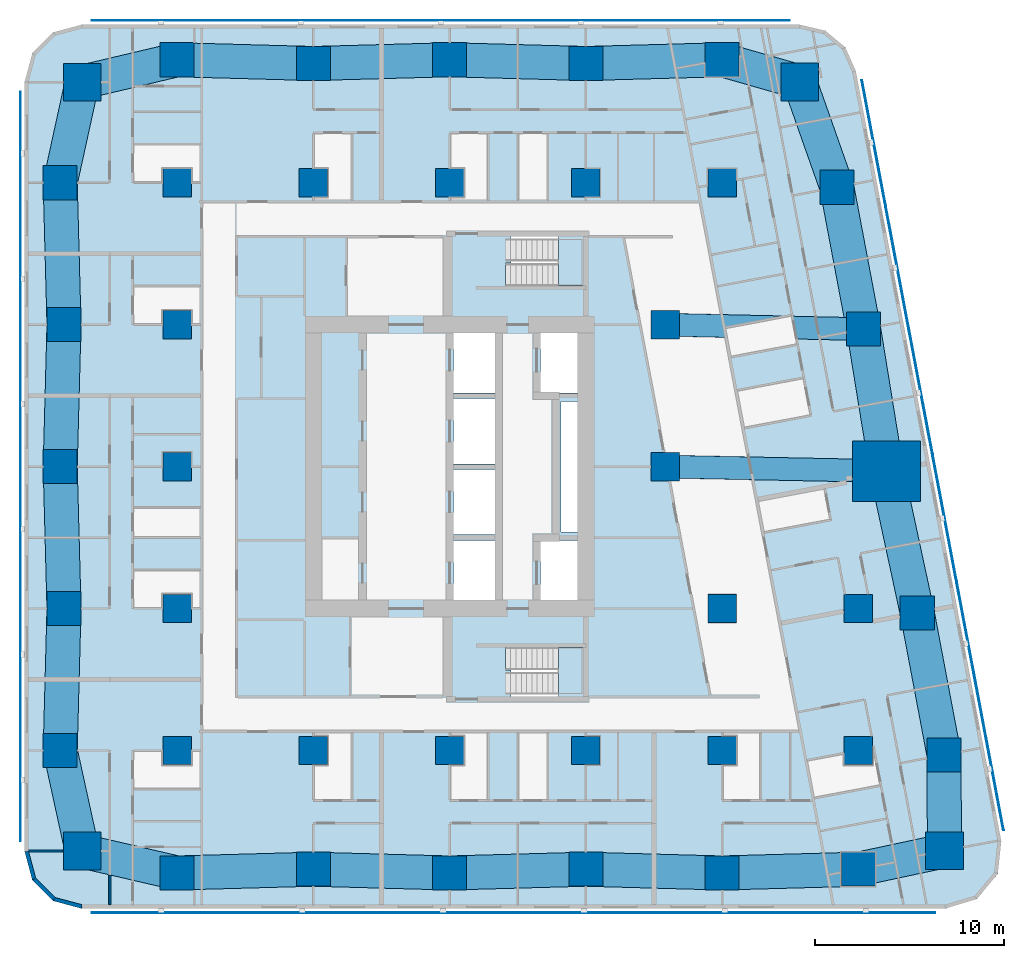
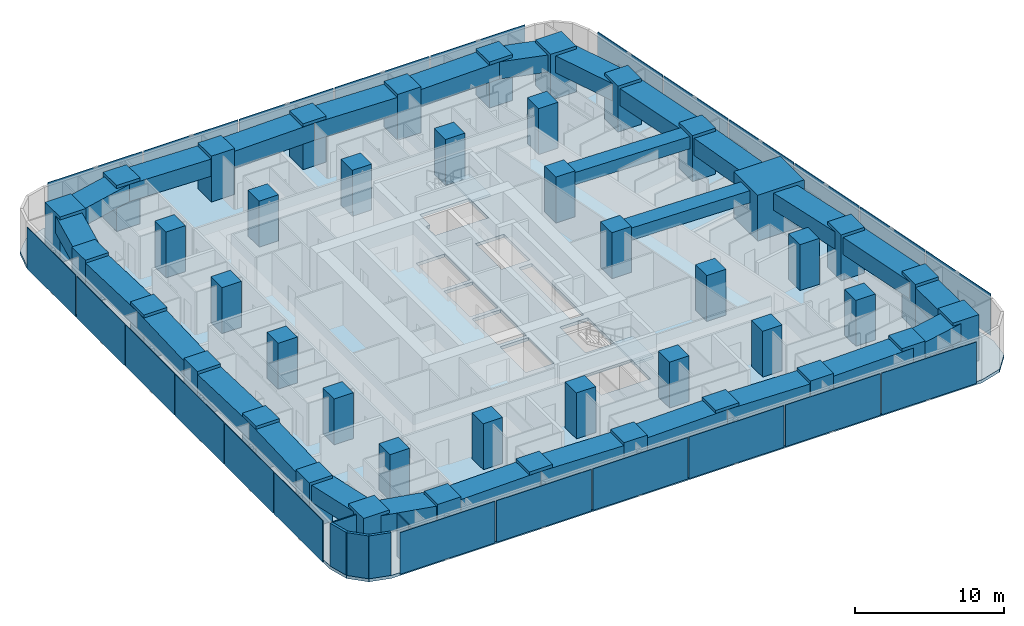
# One storey, part 1 of 15: 43 columns, 27 beams, 23 plates, 5 walls, 3 slabs, 2 elements without a shape of their own.
"""IFC4 building model written with IfcOpenShell, lengths in metres."""

from ifc_helpers import new_model, si_unit, direction, frame, frame_2d, origin, origin_2d, place, context, subcontext, project, spatial, polyline, rectangle, outline, extrude, material, layer, layer_set, material_profile, profile_set, type_object, element, aggregate, save


model = new_model("IFC4")

# Units and contexts
model_context = context("Model", 3, precision=1e-05, world=origin(), true_north=direction((0.0, 1.0)))
body_context = subcontext(model_context, "Body", "Model", "MODEL_VIEW")
ifc_project = project(units=[si_unit("LENGTHUNIT", "METRE"), si_unit("AREAUNIT", "SQUARE_METRE"), si_unit("VOLUMEUNIT", "CUBIC_METRE"), si_unit("PLANEANGLEUNIT", "RADIAN"), si_unit("MASSUNIT", "GRAM", prefix="KILO")], contexts=[model_context])

# Site, building, storey
site_placement = place(None, origin())
site = spatial("IfcSite", under=ifc_project, at=site_placement, CompositionType="ELEMENT")
building_placement = place(site_placement, origin())
building = spatial("IfcBuilding", under=site, at=building_placement, Name="Sheger Commons Tower", CompositionType="ELEMENT")
storey_placement = place(building_placement, frame((0.0, 0.0, 143.300048828125)))
storey = spatial("IfcBuildingStorey", under=building, at=storey_placement, Name="L36", CompositionType="ELEMENT", Elevation=143.300048828125)

# Columns
ifc_material_1 = material(Name="Concrete C50/60", Category="concrete")
ifc_material_profile_1 = material_profile(ifc_material_1, rectangle(XDim=3.60009765625, YDim=3.199951171875, at=origin_2d()), Name="RC 3600x3200")
ifc_profile_set_1 = profile_set([ifc_material_profile_1], Name="Concrete C50/60")
column_type_1 = type_object("IfcColumnType", Name="COLUMN PIER RC 3600x3200", PredefinedType="COLUMN", material=ifc_profile_set_1)
column_placement = place(storey_placement, frame((44.697021484375, 22.262939453125, 0.0), z_axis=(0.0, 0.0, 1.0), x_axis=(1.0, 0.0, 0.0)))
element("IfcColumn", 1, at=column_placement, inside=storey, type_object=column_type_1, Name="Pier 7/D+E/D L36", PredefinedType="COLUMN", context=body_context, shape_type="SweptSolid", body=[
    extrude(rectangle(XDim=3.60009765625, YDim=3.199951171875, at=origin_2d()), origin(), (0.0, 0.0, 1.0), 3.75),
])
ifc_material_2 = material(Name="Concrete C50/60", Category="concrete")
ifc_material_profile_2 = material_profile(ifc_material_2, rectangle(XDim=1.5, YDim=1.5, at=origin_2d()), Name="RC 1500x1500")
ifc_profile_set_2 = profile_set([ifc_material_profile_2], Name="Concrete C50/60")
column_type_2 = type_object("IfcColumnType", Name="COLUMN RC 1500x1500", PredefinedType="COLUMN", material=ifc_profile_set_2)
for number, where, z_axis, x_axis, name in (
    (2, (7.199951171875, 7.5, 0.0), (0.0, 0.0, 1.0), (1.0, 0.0, 0.0), "Column 2/B L36"),
    (3, (14.39990234375, 7.5, 0.0), (0.0, 0.0, 1.0), (1.0, 0.0, 0.0), "Column 3/B L36"),
    (4, (21.60009765625, 7.5, 0.0), (0.0, 0.0, 1.0), (1.0, 0.0, 0.0), "Column 4/B L36"),
    (5, (28.800048828125, 7.5, 0.0), (0.0, 0.0, 1.0), (1.0, 0.0, 0.0), "Column 5/B L36"),
    (6, (36.0, 7.5, 0.0), (0.0, 0.0, 1.0), (1.0, 0.0, 0.0), "Column 6/B L36"),
    (7, (43.199951171875, 7.5, 0.0), (0.0, 0.0, 1.0), (1.0, 0.0, 0.0), "Column 7/B L36"),
    (8, (7.199951171875, 15.0, 0.0), (0.0, 0.0, 1.0), (1.0, 0.0, 0.0), "Column 2/C L36"),
    (9, (36.0, 15.0, 0.0), (0.0, 0.0, 1.0), (1.0, 0.0, 0.0), "Column 6/C L36"),
    (10, (43.199951171875, 15.0, 0.0), (0.0, 0.0, 1.0), (1.0, 0.0, 0.0), "Column 7/C L36"),
    (11, (7.199951171875, 22.5, 0.0), (0.0, 0.0, 1.0), (1.0, 0.0, 0.0), "Column 2/D L36"),
    (12, (33.0, 22.5, 0.0), (0.0, 0.0, 1.0), (1.0, 0.0, 0.0), "Column 6-3000/D L36"),
    (13, (7.199951171875, 30.0, 0.0), (0.0, 0.0, 1.0), (1.0, 0.0, 0.0), "Column 2/E L36"),
    (14, (33.0, 30.0, 0.0), (0.0, 0.0, 1.0), (1.0, 0.0, 0.0), "Column 6-3000/E L36"),
    (15, (7.199951171875, 37.5, 0.0), (0.0, 0.0, 1.0), (1.0, 0.0, 0.0), "Column 2/F L36"),
    (16, (14.39990234375, 37.5, 0.0), (0.0, 0.0, 1.0), (1.0, 0.0, 0.0), "Column 3/F L36"),
    (17, (21.60009765625, 37.5, 0.0), (0.0, 0.0, 1.0), (1.0, 0.0, 0.0), "Column 4/F L36"),
    (18, (28.800048828125, 37.5, 0.0), (0.0, 0.0, 1.0), (1.0, 0.0, 0.0), "Column 5/F L36"),
    (19, (36.0, 37.5, 0.0), (0.0, 0.0, 1.0), (1.0, 0.0, 0.0), "Column 6/F L36"),
):
    element("IfcColumn", number, at=place(storey_placement, frame(where, z_axis=z_axis, x_axis=x_axis)), inside=storey, type_object=column_type_2, Name=name, PredefinedType="COLUMN", context=body_context, shape_type="SweptSolid", body=[
        extrude(rectangle(XDim=1.5, YDim=1.5, at=origin_2d()), origin(), (0.0, 0.0, 1.0), 3.75),
    ])
ifc_material_3 = material(Name="Concrete C50/60", Category="concrete")
ifc_material_profile_3 = material_profile(ifc_material_3, rectangle(XDim=1.800048828125, YDim=1.800048828125, at=origin_2d()), Name="RC 1800x1800")
ifc_profile_set_3 = profile_set([ifc_material_profile_3], Name="Concrete C50/60")
column_type_3 = type_object("IfcColumnType", Name="COLUMN RC 1800x1800", PredefinedType="COLUMN", material=ifc_profile_set_3)
for number, where, z_axis, x_axis, name in (
    (20, (7.199951171875, 1.02490234375, 0.0), (0.0, 0.0, 1.0), (1.0, 0.0, 0.0), "Column 2/A L36"),
    (21, (14.39990234375, 1.22509765625, 0.0), (0.0, 0.0, 1.0), (1.0, 0.0, 0.0), "Column 3/A L36"),
    (22, (21.60009765625, 1.02490234375, 0.0), (0.0, 0.0, 1.0), (1.0, 0.0, 0.0), "Column 4/A L36"),
    (23, (28.800048828125, 1.22509765625, 0.0), (0.0, 0.0, 1.0), (1.0, 0.0, 0.0), "Column 5/A L36"),
    (24, (36.0, 1.02490234375, 0.0), (0.0, 0.0, 1.0), (1.0, 0.0, 0.0), "Column 6/A L36"),
    (25, (43.199951171875, 1.22509765625, 0.0), (0.0, 0.0, 1.0), (1.0, 0.0, 0.0), "Column 7/A L36"),
    (26, (1.02490234375, 7.5, 0.0), (0.0, 0.0, 1.0), (1.0, 0.0, 0.0), "Column 1/B L36"),
    (27, (47.72998046875, 7.262939453125, 0.0), (0.0, 0.0, 1.0), (1.0, 0.0, 0.0), "Column E/B L36"),
    (28, (1.22509765625, 15.0, 0.0), (0.0, 0.0, 1.0), (1.0, 0.0, 0.0), "Column 1/C L36"),
    (29, (46.31396484375, 14.762939453125, 0.0), (0.0, 0.0, 1.0), (1.0, 0.0, 0.0), "Column E/C L36"),
    (30, (1.02490234375, 22.5, 0.0), (0.0, 0.0, 1.0), (1.0, 0.0, 0.0), "Column 1/D L36"),
    (31, (1.22509765625, 30.0, 0.0), (0.0, 0.0, 1.0), (1.0, 0.0, 0.0), "Column 1/E L36"),
    (32, (43.47998046875, 29.762939453125, 0.0), (0.0, 0.0, 1.0), (1.0, 0.0, 0.0), "Column E/E L36"),
    (33, (1.02490234375, 37.5, 0.0), (0.0, 0.0, 1.0), (1.0, 0.0, 0.0), "Column 1/F L36"),
    (34, (42.06396484375, 37.262939453125, 0.0), (0.0, 0.0, 1.0), (1.0, 0.0, 0.0), "Column E/F L36"),
    (35, (7.199951171875, 44.0, 0.0), (0.0, 0.0, 1.0), (1.0, 0.0, 0.0), "Column 2/G L36"),
    (36, (14.39990234375, 43.800048828125, 0.0), (0.0, 0.0, 1.0), (1.0, 0.0, 0.0), "Column 3/G L36"),
    (37, (21.60009765625, 44.0, 0.0), (0.0, 0.0, 1.0), (1.0, 0.0, 0.0), "Column 4/G L36"),
    (38, (28.800048828125, 43.800048828125, 0.0), (0.0, 0.0, 1.0), (1.0, 0.0, 0.0), "Column 5/G L36"),
    (39, (36.0, 44.0, 0.0), (0.0, 0.0, 1.0), (1.0, 0.0, 0.0), "Column 6/G L36"),
):
    element("IfcColumn", number, at=place(storey_placement, frame(where, z_axis=z_axis, x_axis=x_axis)), inside=storey, type_object=column_type_3, Name=name, PredefinedType="COLUMN", context=body_context, shape_type="SweptSolid", body=[
        extrude(rectangle(XDim=1.800048828125, YDim=1.800048828125, at=origin_2d()), origin(), (0.0, 0.0, 1.0), 3.75),
    ])
ifc_material_4 = material(Name="Concrete C50/60", Category="concrete")
ifc_material_profile_4 = material_profile(ifc_material_4, rectangle(XDim=2.0, YDim=2.0, at=origin_2d()), Name="RC 2000x2000")
ifc_profile_set_4 = profile_set([ifc_material_profile_4], Name="Concrete C50/60")
column_type_4 = type_object("IfcColumnType", Name="COLUMN RC 2000x2000", PredefinedType="COLUMN", material=ifc_profile_set_4)
for number, where, z_axis, x_axis, name in (
    (40, (2.18603515625, 2.18603515625, 0.0), (0.0, 0.0, 1.0), (1.0, 0.0, 0.0), "Column 0.630,0.630 L36"),
    (41, (47.748046875, 2.197021484375, 0.0), (0.0, 0.0, 1.0), (1.0, 0.0, 0.0), "Column 49.461,0.778 L36"),
    (42, (2.18603515625, 42.81396484375, 0.0), (0.0, 0.0, 1.0), (1.0, 0.0, 0.0), "Column 0.630,44.370 L36"),
    (43, (40.10205078125, 42.830078125, 0.0), (0.0, 0.0, 1.0), (1.0, 0.0, 0.0), "Column 41.490,44.505 L36"),
):
    element("IfcColumn", number, at=place(storey_placement, frame(where, z_axis=z_axis, x_axis=x_axis)), inside=storey, type_object=column_type_4, Name=name, PredefinedType="COLUMN", context=body_context, shape_type="SweptSolid", body=[
        extrude(rectangle(XDim=2.0, YDim=2.0, at=origin_2d()), origin(), (0.0, 0.0, 1.0), 3.75),
    ])

# Beams
ifc_material_5 = material(Name="Concrete C50/60", Category="concrete")
ifc_material_profile_5 = material_profile(ifc_material_5, rectangle(XDim=1.199951171875, YDim=1.0, at=origin_2d()), Name="RC 1200x1000")
ifc_profile_set_5 = profile_set([ifc_material_profile_5], Name="Concrete C50/60")
beam_type_1 = type_object("IfcBeamType", Name="BEAM RC 1200x1000", PredefinedType="BEAM", material=ifc_profile_set_5)
beam_1_placement = place(storey_placement, frame((33.0, 22.5, 3.0), z_axis=(0.999794692776, -0.02026258368, 0.0), x_axis=(0.02026258368, 0.999794692776, 0.0)))
element("IfcBeam", 44, at=beam_1_placement, inside=storey, type_object=beam_type_1, Name="Beam 6-3000/D-7/D under L37", PredefinedType="BEAM", context=body_context, shape_type="SweptSolid", body=[
    extrude(rectangle(XDim=1.199951171875, YDim=1.0, at=origin_2d()), origin(), (0.0, 0.0, 1.0), 11.699462890625),
])
beam_2_placement = place(storey_placement, frame((33.0, 30.0, 3.0), z_axis=(0.999744258625, -0.022614538395, 0.0), x_axis=(0.022614538395, 0.999744258625, 0.0)))
element("IfcBeam", 45, at=beam_2_placement, inside=storey, type_object=beam_type_1, Name="Beam 6-3000/E-E/E under L37", PredefinedType="BEAM", context=body_context, shape_type="SweptSolid", body=[
    extrude(rectangle(XDim=1.199951171875, YDim=1.0, at=origin_2d()), origin(), (0.0, 0.0, 1.0), 10.482666015625),
])
ifc_material_6 = material(Name="Concrete C50/60", Category="concrete")
ifc_material_profile_6 = material_profile(ifc_material_6, rectangle(XDim=1.800048828125, YDim=1.39990234375, at=origin_2d()), Name="RC 1800x1400")
ifc_profile_set_6 = profile_set([ifc_material_profile_6], Name="Concrete C50/60")
beam_type_2 = type_object("IfcBeamType", Name="SPANDREL RC 1800x1400", PredefinedType="SPANDREL", material=ifc_profile_set_6)
beam_3_placement = place(storey_placement, frame((2.18603515625, 2.18603515625, 2.800048828125), z_axis=(0.974217413499, -0.225611239159, 0.0), x_axis=(0.225611239159, 0.974217413499, 0.0)))
element("IfcBeam", 46, at=beam_3_placement, inside=storey, type_object=beam_type_2, Name="Beam 0.630,0.630-2/A under L37", PredefinedType="SPANDREL", context=body_context, shape_type="SweptSolid", body=[
    extrude(rectangle(XDim=1.800048828125, YDim=1.39990234375, at=origin_2d()), origin(), (0.0, 0.0, 1.0), 5.146728515625),
])
beam_4_placement = place(storey_placement, frame((7.199951171875, 1.02490234375, 2.800048828125), z_axis=(0.9996136624, 0.027794350926, 0.0), x_axis=(-0.027794350926, 0.9996136624, 0.0)))
element("IfcBeam", 47, at=beam_4_placement, inside=storey, type_object=beam_type_2, Name="Beam 2/A-3/A under L37", PredefinedType="SPANDREL", context=body_context, shape_type="SweptSolid", body=[
    extrude(rectangle(XDim=1.800048828125, YDim=1.39990234375, at=origin_2d()), origin(), (0.0, 0.0, 1.0), 7.20263671875),
])
beam_5_placement = place(storey_placement, frame((14.39990234375, 1.22509765625, 2.800048828125), z_axis=(0.999613688584, -0.027793409217, 0.0), x_axis=(0.027793409217, 0.999613688584, 0.0)))
element("IfcBeam", 48, at=beam_5_placement, inside=storey, type_object=beam_type_2, Name="Beam 3/A-4/A under L37", PredefinedType="SPANDREL", context=body_context, shape_type="SweptSolid", body=[
    extrude(rectangle(XDim=1.800048828125, YDim=1.39990234375, at=origin_2d()), origin(), (0.0, 0.0, 1.0), 7.202880859375),
])
for number, where, z_axis, x_axis, name in (
    (49, (21.60009765625, 1.02490234375, 2.800048828125), (0.9996136624, 0.027794350926, 0.0), (-0.027794350926, 0.9996136624, 0.0), "Beam 4/A-5/A under L37"),
    (50, (28.800048828125, 1.22509765625, 2.800048828125), (0.9996136624, -0.027794350926, 0.0), (0.027794350926, 0.9996136624, 0.0), "Beam 5/A-6/A under L37"),
    (51, (36.0, 1.02490234375, 2.800048828125), (0.9996136624, 0.027794350926, 0.0), (-0.027794350926, 0.9996136624, 0.0), "Beam 6/A-7/A under L37"),
):
    element("IfcBeam", number, at=place(storey_placement, frame(where, z_axis=z_axis, x_axis=x_axis)), inside=storey, type_object=beam_type_2, Name=name, PredefinedType="SPANDREL", context=body_context, shape_type="SweptSolid", body=[
        extrude(rectangle(XDim=1.800048828125, YDim=1.39990234375, at=origin_2d()), origin(), (0.0, 0.0, 1.0), 7.20263671875),
    ])
beam_6_placement = place(storey_placement, frame((43.199951171875, 1.22509765625, 2.800048828125), z_axis=(0.977919796671, 0.208980552394, 0.0), x_axis=(-0.208980552394, 0.977919796671, 0.0)))
element("IfcBeam", 52, at=beam_6_placement, inside=storey, type_object=beam_type_2, Name="Beam 7/A-49.461,0.778 under L37", PredefinedType="SPANDREL", context=body_context, shape_type="SweptSolid", body=[
    extrude(rectangle(XDim=1.800048828125, YDim=1.39990234375, at=origin_2d()), origin(), (0.0, 0.0, 1.0), 4.65087890625),
])
beam_7_placement = place(storey_placement, frame((47.748046875, 2.197021484375, 2.800048828125), z_axis=(-0.003566242382, 0.999993640937, 0.0), x_axis=(-0.999993640937, -0.003566242382, 0.0)))
element("IfcBeam", 53, at=beam_7_placement, inside=storey, type_object=beam_type_2, Name="Beam 49.461,0.778-E/B under L37", PredefinedType="SPANDREL", context=body_context, shape_type="SweptSolid", body=[
    extrude(rectangle(XDim=1.800048828125, YDim=1.39990234375, at=origin_2d()), origin(), (0.0, 0.0, 1.0), 5.06591796875),
])
beam_8_placement = place(storey_placement, frame((47.72998046875, 7.262939453125, 2.800048828125), z_axis=(-0.18552441405, 0.982639655108, 0.0), x_axis=(-0.982639655108, -0.18552441405, 0.0)))
element("IfcBeam", 54, at=beam_8_placement, inside=storey, type_object=beam_type_2, Name="Beam E/B-E/C under L37", PredefinedType="SPANDREL", context=body_context, shape_type="SweptSolid", body=[
    extrude(rectangle(XDim=1.800048828125, YDim=1.39990234375, at=origin_2d()), origin(), (0.0, 0.0, 1.0), 7.632568359375),
])
beam_9_placement = place(storey_placement, frame((46.31396484375, 14.762939453125, 2.800048828125), z_axis=(-0.210750229323, 0.977539943348, 0.0), x_axis=(-0.977539943348, -0.210750229323, 0.0)))
element("IfcBeam", 55, at=beam_9_placement, inside=storey, type_object=beam_type_2, Name="Beam E/C-E/D under L37", PredefinedType="SPANDREL", context=body_context, shape_type="SweptSolid", body=[
    extrude(rectangle(XDim=1.800048828125, YDim=1.39990234375, at=origin_2d()), origin(), (0.0, 0.0, 1.0), 7.67236328125),
])
beam_10_placement = place(storey_placement, frame((44.697021484375, 22.262939453125, 2.800048828125), z_axis=(-0.160176929512, 0.987088319884, 0.0), x_axis=(-0.987088319884, -0.160176929512, 0.0)))
element("IfcBeam", 56, at=beam_10_placement, inside=storey, type_object=beam_type_2, Name="Beam E/D-E/E under L37", PredefinedType="SPANDREL", context=body_context, shape_type="SweptSolid", body=[
    extrude(rectangle(XDim=1.800048828125, YDim=1.39990234375, at=origin_2d()), origin(), (0.0, 0.0, 1.0), 7.59814453125),
])
beam_11_placement = place(storey_placement, frame((43.47998046875, 29.762939453125, 2.800048828125), z_axis=(-0.18552441405, 0.982639655108, 0.0), x_axis=(-0.982639655108, -0.18552441405, 0.0)))
element("IfcBeam", 57, at=beam_11_placement, inside=storey, type_object=beam_type_2, Name="Beam E/E-E/F under L37", PredefinedType="SPANDREL", context=body_context, shape_type="SweptSolid", body=[
    extrude(rectangle(XDim=1.800048828125, YDim=1.39990234375, at=origin_2d()), origin(), (0.0, 0.0, 1.0), 7.632568359375),
])
beam_12_placement = place(storey_placement, frame((42.06396484375, 37.262939453125, 2.800048828125), z_axis=(-0.332374403357, 0.943147526102, 0.0), x_axis=(-0.943147526102, -0.332374403357, 0.0)))
element("IfcBeam", 58, at=beam_12_placement, inside=storey, type_object=beam_type_2, Name="Beam E/F-41.490,44.505 under L37", PredefinedType="SPANDREL", context=body_context, shape_type="SweptSolid", body=[
    extrude(rectangle(XDim=1.800048828125, YDim=1.39990234375, at=origin_2d()), origin(), (0.0, 0.0, 1.0), 5.90283203125),
])
beam_13_placement = place(storey_placement, frame((40.10205078125, 42.830078125, 2.800048828125), z_axis=(-0.961653428129, 0.274267541221, 0.0), x_axis=(-0.274267541221, -0.961653428129, 0.0)))
element("IfcBeam", 59, at=beam_13_placement, inside=storey, type_object=beam_type_2, Name="Beam 41.490,44.505-6/G under L37", PredefinedType="SPANDREL", context=body_context, shape_type="SweptSolid", body=[
    extrude(rectangle(XDim=1.800048828125, YDim=1.39990234375, at=origin_2d()), origin(), (0.0, 0.0, 1.0), 4.265625),
])
for number, where, z_axis, x_axis, name in (
    (60, (36.0, 44.0, 2.800048828125), (-0.999614603568, -0.027760481514, 0.0), (0.027760481514, -0.999614603568, 0.0), "Beam 6/G-5/G under L37"),
    (61, (28.800048828125, 43.800048828125, 2.800048828125), (-0.999614603568, 0.027760481514, 0.0), (-0.027760481514, -0.999614603568, 0.0), "Beam 5/G-4/G under L37"),
):
    element("IfcBeam", number, at=place(storey_placement, frame(where, z_axis=z_axis, x_axis=x_axis)), inside=storey, type_object=beam_type_2, Name=name, PredefinedType="SPANDREL", context=body_context, shape_type="SweptSolid", body=[
        extrude(rectangle(XDim=1.800048828125, YDim=1.39990234375, at=origin_2d()), origin(), (0.0, 0.0, 1.0), 7.20263671875),
    ])
beam_14_placement = place(storey_placement, frame((21.60009765625, 44.0, 2.800048828125), z_axis=(-0.999614629688, -0.027759540951, 0.0), x_axis=(0.027759540951, -0.999614629688, 0.0)))
element("IfcBeam", 62, at=beam_14_placement, inside=storey, type_object=beam_type_2, Name="Beam 4/G-3/G under L37", PredefinedType="SPANDREL", context=body_context, shape_type="SweptSolid", body=[
    extrude(rectangle(XDim=1.800048828125, YDim=1.39990234375, at=origin_2d()), origin(), (0.0, 0.0, 1.0), 7.202880859375),
])
beam_15_placement = place(storey_placement, frame((14.39990234375, 43.800048828125, 2.800048828125), z_axis=(-0.999614603568, 0.027760481514, 0.0), x_axis=(-0.027760481514, -0.999614603568, 0.0)))
element("IfcBeam", 63, at=beam_15_placement, inside=storey, type_object=beam_type_2, Name="Beam 3/G-2/G under L37", PredefinedType="SPANDREL", context=body_context, shape_type="SweptSolid", body=[
    extrude(rectangle(XDim=1.800048828125, YDim=1.39990234375, at=origin_2d()), origin(), (0.0, 0.0, 1.0), 7.20263671875),
])
beam_16_placement = place(storey_placement, frame((7.199951171875, 44.0, 2.800048828125), z_axis=(-0.97314428949, -0.230195985701, 0.0), x_axis=(0.230195985701, -0.97314428949, 0.0)))
element("IfcBeam", 64, at=beam_16_placement, inside=storey, type_object=beam_type_2, Name="Beam 2/G-0.630,44.370 under L37", PredefinedType="SPANDREL", context=body_context, shape_type="SweptSolid", body=[
    extrude(rectangle(XDim=1.800048828125, YDim=1.39990234375, at=origin_2d()), origin(), (0.0, 0.0, 1.0), 5.15234375),
])
beam_17_placement = place(storey_placement, frame((2.18603515625, 42.81396484375, 2.800048828125), z_axis=(-0.213469314652, -0.976949769283, 0.0), x_axis=(0.976949769283, -0.213469314652, 0.0)))
element("IfcBeam", 65, at=beam_17_placement, inside=storey, type_object=beam_type_2, Name="Beam 0.630,44.370-1/F under L37", PredefinedType="SPANDREL", context=body_context, shape_type="SweptSolid", body=[
    extrude(rectangle(XDim=1.800048828125, YDim=1.39990234375, at=origin_2d()), origin(), (0.0, 0.0, 1.0), 5.439453125),
])
for number, where, z_axis, x_axis, name in (
    (66, (1.02490234375, 37.5, 2.800048828125), (0.026683204125, -0.999643939919, 0.0), (0.999643939919, 0.026683204125, 0.0), "Beam 1/F-1/E under L37"),
    (67, (1.22509765625, 30.0, 2.800048828125), (-0.026683204125, -0.999643939919, 0.0), (0.999643939919, -0.026683204125, 0.0), "Beam 1/E-1/D under L37"),
    (68, (1.02490234375, 22.5, 2.800048828125), (0.026683204125, -0.999643939919, 0.0), (0.999643939919, 0.026683204125, 0.0), "Beam 1/D-1/C under L37"),
    (69, (1.22509765625, 15.0, 2.800048828125), (-0.026683204125, -0.999643939919, 0.0), (0.999643939919, -0.026683204125, 0.0), "Beam 1/C-1/B under L37"),
):
    element("IfcBeam", number, at=place(storey_placement, frame(where, z_axis=z_axis, x_axis=x_axis)), inside=storey, type_object=beam_type_2, Name=name, PredefinedType="SPANDREL", context=body_context, shape_type="SweptSolid", body=[
        extrude(rectangle(XDim=1.800048828125, YDim=1.39990234375, at=origin_2d()), origin(), (0.0, 0.0, 1.0), 7.502685546875),
    ])
beam_18_placement = place(storey_placement, frame((1.02490234375, 7.5, 2.800048828125), z_axis=(0.213469314652, -0.976949769283, 0.0), x_axis=(0.976949769283, 0.213469314652, 0.0)))
element("IfcBeam", 70, at=beam_18_placement, inside=storey, type_object=beam_type_2, Name="Beam 1/B-0.630,0.630 under L37", PredefinedType="SPANDREL", context=body_context, shape_type="SweptSolid", body=[
    extrude(rectangle(XDim=1.800048828125, YDim=1.39990234375, at=origin_2d()), origin(), (0.0, 0.0, 1.0), 5.439453125),
])

# Slab
ifc_material_7 = material(Name="Concrete C35/45", Category="concrete")
ifc_layer_1 = layer(ifc_material_7, 0.25)
ifc_layer_set_1 = layer_set([ifc_layer_1], Name="SLAB FLOOR 250")
slab_type_1 = type_object("IfcSlabType", Name="SLAB FLOOR 250", PredefinedType="FLOOR", material=ifc_layer_set_1)
slab_1_placement = place(storey_placement, frame((0.0, 0.0, -0.25)))
element("IfcSlab", 71, at=slab_1_placement, inside=storey, type_object=slab_type_1, Name="L36 floor slab", PredefinedType="FLOOR", context=body_context, shape_type="SweptSolid", body=[
    extrude(outline(polyline([(-0.85009765625, 2.14990234375), (-0.447998046875, 0.64990234375), (0.64990234375, -0.447998046875), (2.14990234375, -0.85009765625), (47.805908203125, -0.85009765625), (49.465087890625, -0.35009765625), (50.570068359375, 0.98388671875), (50.75390625, 2.70703125), (43.06591796875, 43.406982421875), (42.509033203125, 44.660888671875), (41.452880859375, 45.535888671875), (40.117919921875, 45.85009765625), (2.14990234375, 45.85009765625), (0.64990234375, 45.447998046875), (-0.447998046875, 44.35009765625), (-0.85009765625, 42.85009765625), (-0.85009765625, 2.14990234375)]), holes=[polyline([(24.85009765625, 10.35009765625), (28.64990234375, 10.35009765625), (28.64990234375, 12.949951171875), (24.551025390625, 12.949951171875), (24.551025390625, 11.75), (24.85009765625, 11.75), (24.85009765625, 10.35009765625)]), polyline([(24.551025390625, 32.050048828125), (28.64990234375, 32.050048828125), (28.64990234375, 34.64990234375), (24.85009765625, 34.64990234375), (24.85009765625, 33.25), (24.551025390625, 33.25), (24.551025390625, 32.050048828125)]), polyline([(26.39990234375, 15.14990234375), (28.60009765625, 15.14990234375), (28.60009765625, 18.60009765625), (26.39990234375, 18.60009765625), (26.39990234375, 15.14990234375)]), polyline([(26.39990234375, 26.39990234375), (28.60009765625, 26.39990234375), (28.60009765625, 29.85009765625), (26.39990234375, 29.85009765625), (26.39990234375, 26.39990234375)]), polyline([(21.800048828125, 15.14990234375), (24.0, 15.14990234375), (24.0, 18.60009765625), (21.800048828125, 18.60009765625), (21.800048828125, 15.14990234375)]), polyline([(21.800048828125, 18.89990234375), (24.0, 18.89990234375), (24.0, 22.35009765625), (21.800048828125, 22.35009765625), (21.800048828125, 18.89990234375)]), polyline([(21.800048828125, 22.64990234375), (24.0, 22.64990234375), (24.0, 26.10009765625), (21.800048828125, 26.10009765625), (21.800048828125, 22.64990234375)]), polyline([(21.800048828125, 26.39990234375), (24.0, 26.39990234375), (24.0, 29.85009765625), (21.800048828125, 29.85009765625), (21.800048828125, 26.39990234375)]), polyline([(27.5, 19.050048828125), (28.5, 19.050048828125), (28.5, 25.949951171875), (27.5, 25.949951171875), (27.5, 19.050048828125)])]), origin(), (0.0, 0.0, 1.0), 0.25),
])

# Plates
ifc_material_8 = material(Name="Perforated black anodised aluminium screen", Category="aluminium")
ifc_layer_2 = layer(ifc_material_8, 0.050048828125)
ifc_layer_set_2 = layer_set([ifc_layer_2], Name="SOLAR SCREEN SCREEN-1")
plate_type = type_object("IfcPlateType", Name="SOLAR SCREEN SCREEN-1", PredefinedType="USERDEFINED", material=ifc_layer_set_2)
for number, where, z_axis, x_axis, name in (
    (72, (6.37109375, -1.074951171875, 0.050048828125), (0.0, 0.0, 1.0), (1.0, 0.0, 0.0), "Perforated solar screen panel"),
    (73, (13.81396484375, -1.074951171875, 0.050048828125), (0.0, 0.0, 1.0), (1.0, 0.0, 0.0), "Perforated solar screen panel"),
    (74, (21.257080078125, -1.074951171875, 0.050048828125), (0.0, 0.0, 1.0), (1.0, 0.0, 0.0), "Perforated solar screen panel"),
    (75, (28.698974609375, -1.074951171875, 0.050048828125), (0.0, 0.0, 1.0), (1.0, 0.0, 0.0), "Perforated solar screen panel"),
    (76, (36.14208984375, -1.074951171875, 0.050048828125), (0.0, 0.0, 1.0), (1.0, 0.0, 0.0), "Perforated solar screen panel"),
    (77, (43.5849609375, -1.074951171875, 0.050048828125), (0.0, 0.0, 1.0), (1.0, 0.0, 0.0), "Perforated solar screen panel"),
):
    element("IfcPlate", number, at=place(storey_placement, frame(where, z_axis=z_axis, x_axis=x_axis)), inside=storey, type_object=plate_type, Name=name, ObjectType="SCREEN", PredefinedType="USERDEFINED", context=body_context, shape_type="SweptSolid", body=[
        extrude(rectangle(XDim=7.343017578125, YDim=0.050048828125, at=origin_2d()), origin(), (0.0, 0.0, 1.0), 3.39990234375),
    ])
for number, where, z_axis, x_axis, name in (
    (78, (50.257080078125, 6.550048828125, 0.050048828125), (0.0, 0.0, 1.0), (-0.185615165645, 0.982622516678, 0.0), "Perforated solar screen panel"),
    (79, (49.007080078125, 13.1689453125, 0.050048828125), (0.0, 0.0, 1.0), (-0.185615165645, 0.982622516678, 0.0), "Perforated solar screen panel"),
    (80, (47.756103515625, 19.7890625, 0.050048828125), (0.0, 0.0, 1.0), (-0.185615165645, 0.982622516678, 0.0), "Perforated solar screen panel"),
    (81, (46.506103515625, 26.408935546875, 0.050048828125), (0.0, 0.0, 1.0), (-0.185615165645, 0.982622516678, 0.0), "Perforated solar screen panel"),
    (82, (45.2548828125, 33.028076171875, 0.050048828125), (0.0, 0.0, 1.0), (-0.185615165645, 0.982622516678, 0.0), "Perforated solar screen panel"),
    (83, (44.0048828125, 39.64794921875, 0.050048828125), (0.0, 0.0, 1.0), (-0.185615165645, 0.982622516678, 0.0), "Perforated solar screen panel"),
):
    element("IfcPlate", number, at=place(storey_placement, frame(where, z_axis=z_axis, x_axis=x_axis)), inside=storey, type_object=plate_type, Name=name, ObjectType="SCREEN", PredefinedType="USERDEFINED", context=body_context, shape_type="SweptSolid", body=[
        extrude(rectangle(XDim=6.636962890625, YDim=0.050048828125, at=origin_2d()), origin(), (0.0, 0.0, 1.0), 3.39990234375),
    ])
for number, where, z_axis, x_axis, name in (
    (84, (35.9208984375, 46.074951171875, 0.050048828125), (0.0, 0.0, 1.0), (-1.0, 0.0, 0.0), "Perforated solar screen panel"),
    (85, (28.528076171875, 46.074951171875, 0.050048828125), (0.0, 0.0, 1.0), (-1.0, 0.0, 0.0), "Perforated solar screen panel"),
    (86, (21.134033203125, 46.074951171875, 0.050048828125), (0.0, 0.0, 1.0), (-1.0, 0.0, 0.0), "Perforated solar screen panel"),
    (87, (13.739990234375, 46.074951171875, 0.050048828125), (0.0, 0.0, 1.0), (-1.0, 0.0, 0.0), "Perforated solar screen panel"),
    (88, (6.346923828125, 46.074951171875, 0.050048828125), (0.0, 0.0, 1.0), (-1.0, 0.0, 0.0), "Perforated solar screen panel"),
):
    element("IfcPlate", number, at=place(storey_placement, frame(where, z_axis=z_axis, x_axis=x_axis)), inside=storey, type_object=plate_type, Name=name, ObjectType="SCREEN", PredefinedType="USERDEFINED", context=body_context, shape_type="SweptSolid", body=[
        extrude(rectangle(XDim=7.2939453125, YDim=0.050048828125, at=origin_2d()), origin(), (0.0, 0.0, 1.0), 3.39990234375),
    ])
for number, where, z_axis, x_axis, name in (
    (89, (-1.074951171875, 39.0419921875, 0.050048828125), (0.0, 0.0, 1.0), (0.0, -1.0, 0.0), "Perforated solar screen panel"),
    (90, (-1.074951171875, 32.425048828125, 0.050048828125), (0.0, 0.0, 1.0), (0.0, -1.0, 0.0), "Perforated solar screen panel"),
    (91, (-1.074951171875, 25.80810546875, 0.050048828125), (0.0, 0.0, 1.0), (0.0, -1.0, 0.0), "Perforated solar screen panel"),
    (92, (-1.074951171875, 19.19189453125, 0.050048828125), (0.0, 0.0, 1.0), (0.0, -1.0, 0.0), "Perforated solar screen panel"),
    (93, (-1.074951171875, 12.574951171875, 0.050048828125), (0.0, 0.0, 1.0), (0.0, -1.0, 0.0), "Perforated solar screen panel"),
    (94, (-1.074951171875, 5.9580078125, 0.050048828125), (0.0, 0.0, 1.0), (0.0, -1.0, 0.0), "Perforated solar screen panel"),
):
    element("IfcPlate", number, at=place(storey_placement, frame(where, z_axis=z_axis, x_axis=x_axis)), inside=storey, type_object=plate_type, Name=name, ObjectType="SCREEN", PredefinedType="USERDEFINED", context=body_context, shape_type="SweptSolid", body=[
        extrude(rectangle(XDim=6.51708984375, YDim=0.050048828125, at=origin_2d()), origin(), (0.0, 0.0, 1.0), 3.39990234375),
    ])

# Stair, slab
ifc_material_9 = material(Name="Concrete C35/45", Category="concrete")
stair_type = type_object("IfcStairType", Name="HALF-TURN STAIR 1200 RISE 3750", PredefinedType="HALF_TURN_STAIR", material=ifc_material_9)
stair_1_placement = place(storey_placement, origin())
stair_1 = element("IfcStair", 95, at=stair_1_placement, inside=storey, type_object=stair_type, Name="Stair S1 L36", PredefinedType="HALF_TURN_STAIR")
ifc_material_10 = material(Name="Concrete C35/45", Category="concrete")
ifc_layer_3 = layer(ifc_material_10, 0.199951171875)
ifc_layer_set_3 = layer_set([ifc_layer_3], Name="STAIR LANDING 200")
slab_type_2 = type_object("IfcSlabType", Name="STAIR LANDING 200", PredefinedType="LANDING", material=ifc_layer_set_3)
slab_2_placement = place(storey_placement, frame((0.0, 0.0, 1.675048828125)))
slab_2 = element("IfcSlab", 96, at=slab_2_placement, type_object=slab_type_2, Name="S1 landing 1", PredefinedType="LANDING", context=body_context, shape_type="SweptSolid", body=[
    extrude(outline(polyline([(27.35009765625, 10.199951171875), (28.800048828125, 10.199951171875), (28.800048828125, 12.949951171875), (27.35009765625, 12.949951171875), (27.35009765625, 10.199951171875)])), origin(), (0.0, 0.0, 1.0), 0.199951171875),
])
aggregate(stair_1, [slab_2])

stair_2_placement = place(storey_placement, origin())
stair_2 = element("IfcStair", 97, at=stair_2_placement, inside=storey, type_object=stair_type, Name="Stair S2 L36", PredefinedType="HALF_TURN_STAIR")
slab_3_placement = place(storey_placement, frame((0.0, 0.0, 1.675048828125)))
slab_3 = element("IfcSlab", 98, at=slab_3_placement, type_object=slab_type_2, Name="S2 landing 1", PredefinedType="LANDING", context=body_context, shape_type="SweptSolid", body=[
    extrude(outline(polyline([(27.35009765625, 32.050048828125), (28.800048828125, 32.050048828125), (28.800048828125, 34.800048828125), (27.35009765625, 34.800048828125), (27.35009765625, 32.050048828125)])), origin(), (0.0, 0.0, 1.0), 0.199951171875),
])
aggregate(stair_2, [slab_3])

# Walls
ifc_material_11 = material(Name="Rendered concrete block masonry, dark grey", Category="masonry")
ifc_layer_4 = layer(ifc_material_11, 0.199951171875)
ifc_layer_set_4 = layer_set([ifc_layer_4], Name="FACADE WALL 200")
wall_type_1 = type_object("IfcWallType", Name="FACADE WALL 200", PredefinedType="SOLIDWALL", material=ifc_layer_set_4)
wall_1_placement = place(storey_placement, frame((-0.75, 2.1630859375, 0.0), z_axis=(0.0, 0.0, 1.0), x_axis=(0.259168954497, -0.965832000415, 0.0)))
element("IfcWall", 99, at=wall_1_placement, inside=storey, type_object=wall_type_1, Name="Facade wall L36", PredefinedType="SOLIDWALL", context=body_context, shape_type="SweptSolid", body=[
    extrude(rectangle(XDim=1.512939453125, YDim=0.199951171875, at=frame_2d((0.75634765625, 0.0))), origin(), (0.0, 0.0, 1.0), 3.5),
])
wall_2_placement = place(storey_placement, frame((-0.35791015625, 0.701904296875, 0.0), z_axis=(0.0, 0.0, 1.0), x_axis=(0.707106781187, -0.707106781187, 0.0)))
element("IfcWall", 100, at=wall_2_placement, inside=storey, type_object=wall_type_1, Name="Facade wall L36", PredefinedType="SOLIDWALL", context=body_context, shape_type="SweptSolid", body=[
    extrude(rectangle(XDim=1.498779296875, YDim=0.199951171875, at=frame_2d((0.74951171875, 0.0))), origin(), (0.0, 0.0, 1.0), 3.5),
])
wall_3_placement = place(storey_placement, frame((0.701904296875, -0.35791015625, 0.0), z_axis=(0.0, 0.0, 1.0), x_axis=(0.965832000415, -0.259168954497, 0.0)))
element("IfcWall", 101, at=wall_3_placement, inside=storey, type_object=wall_type_1, Name="Facade wall L36", PredefinedType="SOLIDWALL", context=body_context, shape_type="SweptSolid", body=[
    extrude(rectangle(XDim=1.512939453125, YDim=0.199951171875, at=frame_2d((0.75634765625, 0.0))), origin(), (0.0, 0.0, 1.0), 3.5),
])
ifc_material_12 = material(Name="Gypsum board on steel studs", Category="steel")
ifc_layer_5 = layer(ifc_material_12, 0.10009765625)
ifc_layer_set_5 = layer_set([ifc_layer_5], Name="PARTITION 100")
wall_type_2 = type_object("IfcWallType", Name="PARTITION 100", PredefinedType="PARTITIONING", material=ifc_layer_set_5)
wall_4_placement = place(storey_placement, frame((3.64990234375, -0.64990234375, 0.0), z_axis=(0.0, 0.0, 1.0), x_axis=(0.0, 1.0, 0.0)))
element("IfcWall", 102, at=wall_4_placement, inside=storey, type_object=wall_type_2, Name="Partition L36", PredefinedType="PARTITIONING", context=body_context, shape_type="SweptSolid", body=[
    extrude(rectangle(XDim=1.56201171875, YDim=0.10009765625, at=frame_2d((0.781005859375, 0.0))), origin(), (0.0, 0.0, 1.0), 3.5),
])
wall_5_placement = place(storey_placement, frame((-0.64990234375, 2.18603515625, 0.0), z_axis=(0.0, 0.0, 1.0), x_axis=(1.0, 0.0, 0.0)))
element("IfcWall", 103, at=wall_5_placement, inside=storey, type_object=wall_type_2, Name="Partition L36", PredefinedType="PARTITIONING", context=body_context, shape_type="SweptSolid", body=[
    extrude(rectangle(XDim=1.8349609375, YDim=0.10009765625, at=frame_2d((0.91748046875, 0.0))), origin(), (0.0, 0.0, 1.0), 3.5),
])

save(model, "model.ifc")
